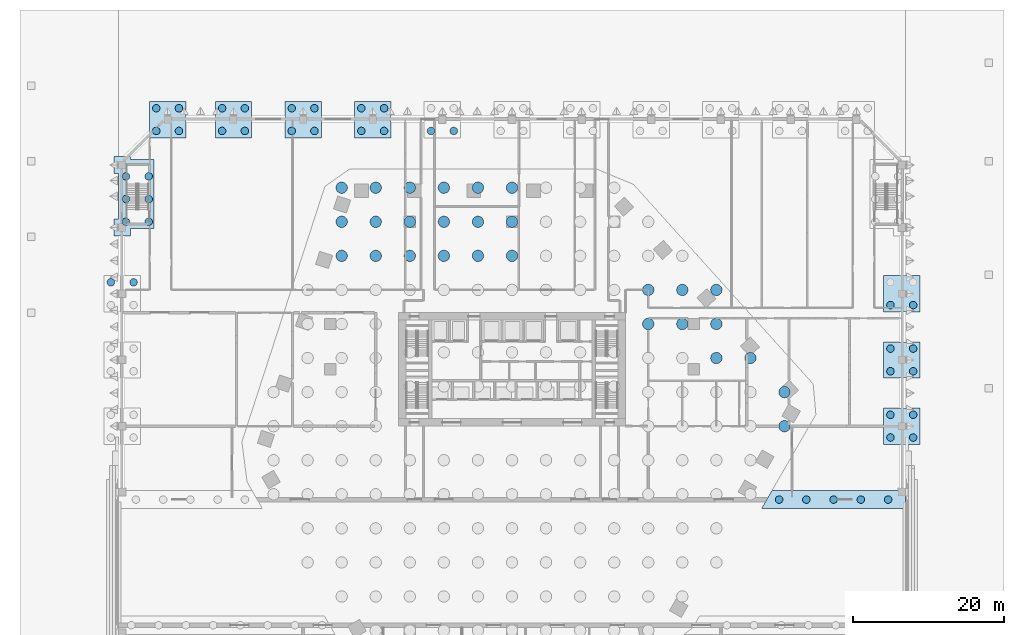
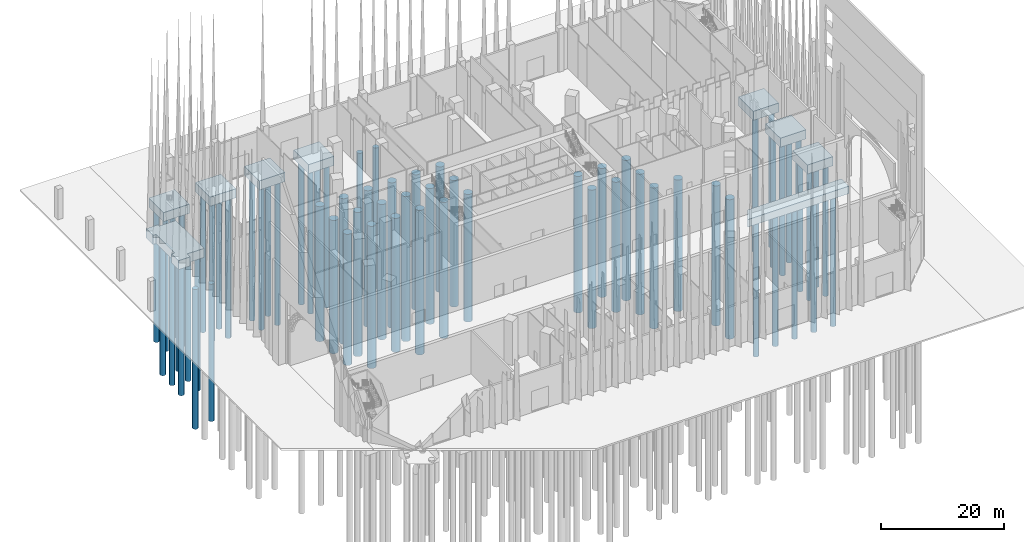
# One storey, part 4 of 32: 69 piles, 9 footings.
"""IFC4 building model written with IfcOpenShell, lengths in metres."""

from ifc_helpers import new_model, si_unit, direction, frame, origin, origin_2d, place, context, subcontext, project, spatial, polyline, circle, outline, extrude, material, layer, layer_set, material_profile, profile_set, type_object, element, save


model = new_model("IFC4")

# Units and contexts
model_context = context("Model", 3, precision=1e-05, world=origin(), true_north=direction((0.0, 1.0)))
body_context = subcontext(model_context, "Body", "Model", "MODEL_VIEW")
ifc_project = project(units=[si_unit("LENGTHUNIT", "METRE"), si_unit("AREAUNIT", "SQUARE_METRE"), si_unit("VOLUMEUNIT", "CUBIC_METRE"), si_unit("PLANEANGLEUNIT", "RADIAN"), si_unit("MASSUNIT", "GRAM", prefix="KILO")], contexts=[model_context])

# Site, building, storey
site_placement = place(None, origin())
site = spatial("IfcSite", under=ifc_project, at=site_placement, CompositionType="ELEMENT")
building_placement = place(site_placement, origin())
building = spatial("IfcBuilding", under=site, at=building_placement, Name="Isthmus Gate Tower", CompositionType="ELEMENT")
storey_placement = place(building_placement, origin())
storey = spatial("IfcBuildingStorey", under=building, at=storey_placement, Name="L00", CompositionType="ELEMENT", Elevation=0.0)

# Piles
ifc_material_1 = material(Name="Concrete f'c 50 MPa", Category="concrete")
ifc_material_profile_1 = material_profile(ifc_material_1, circle(Radius=0.5, at=origin_2d()), Name="D1000")
ifc_profile_set_1 = profile_set([ifc_material_profile_1], Name="Concrete f'c 50 MPa")
pile_type_1 = type_object("IfcPileType", Name="BORED PILE D1000", PredefinedType="BORED", material=ifc_profile_set_1)
pile_1_placement = place(storey_placement, frame((35.283935546875, -9.699951171875, -1.5), z_axis=(0.0, 0.0, -1.0), x_axis=(1.0, 0.0, 0.0)))
element("IfcPile", 1, at=pile_1_placement, inside=storey, type_object=pile_type_1, Name="str-pile-L00-191", PredefinedType="BORED", context=body_context, shape_type="SweptSolid", body=[
    extrude(circle(Radius=0.5, at=origin_2d()), origin(), (0.0, 0.0, 1.0), 27.174560546875),
])
pile_2_placement = place(storey_placement, frame((38.884033203125, -9.699951171875, -1.5), z_axis=(0.0, 0.0, -1.0), x_axis=(1.0, 0.0, 0.0)))
element("IfcPile", 2, at=pile_2_placement, inside=storey, type_object=pile_type_1, Name="str-pile-L00-192", PredefinedType="BORED", context=body_context, shape_type="SweptSolid", body=[
    extrude(circle(Radius=0.5, at=origin_2d()), origin(), (0.0, 0.0, 1.0), 26.360107421875),
])
pile_3_placement = place(storey_placement, frame((42.48388671875, -9.699951171875, -1.5), z_axis=(0.0, 0.0, -1.0), x_axis=(1.0, 0.0, 0.0)))
element("IfcPile", 3, at=pile_3_placement, inside=storey, type_object=pile_type_1, Name="str-pile-L00-193", PredefinedType="BORED", context=body_context, shape_type="SweptSolid", body=[
    extrude(circle(Radius=0.5, at=origin_2d()), origin(), (0.0, 0.0, 1.0), 26.1640625),
])
pile_4_placement = place(storey_placement, frame((46.083984375, -9.699951171875, -1.5), z_axis=(0.0, 0.0, -1.0), x_axis=(1.0, 0.0, 0.0)))
element("IfcPile", 4, at=pile_4_placement, inside=storey, type_object=pile_type_1, Name="str-pile-L00-194", PredefinedType="BORED", context=body_context, shape_type="SweptSolid", body=[
    extrude(circle(Radius=0.5, at=origin_2d()), origin(), (0.0, 0.0, 1.0), 26.107421875),
])
pile_5_placement = place(storey_placement, frame((49.683837890625, -9.699951171875, -1.5), z_axis=(0.0, 0.0, -1.0), x_axis=(1.0, 0.0, 0.0)))
element("IfcPile", 5, at=pile_5_placement, inside=storey, type_object=pile_type_1, Name="str-pile-L00-195", PredefinedType="BORED", context=body_context, shape_type="SweptSolid", body=[
    extrude(circle(Radius=0.5, at=origin_2d()), origin(), (0.0, 0.0, 1.0), 26.1953125),
])
pile_6_placement = place(storey_placement, frame((50.0, -1.5, -1.800048828125), z_axis=(0.0, 0.0, -1.0), x_axis=(1.0, 0.0, 0.0)))
element("IfcPile", 6, at=pile_6_placement, inside=storey, type_object=pile_type_1, Name="str-pile-L00-240", PredefinedType="BORED", context=body_context, shape_type="SweptSolid", body=[
    extrude(circle(Radius=0.5, at=origin_2d()), origin(), (0.0, 0.0, 1.0), 25.837646484375),
])
pile_7_placement = place(storey_placement, frame((50.0, 1.5, -1.800048828125), z_axis=(0.0, 0.0, -1.0), x_axis=(1.0, 0.0, 0.0)))
element("IfcPile", 7, at=pile_7_placement, inside=storey, type_object=pile_type_1, Name="str-pile-L00-241", PredefinedType="BORED", context=body_context, shape_type="SweptSolid", body=[
    extrude(circle(Radius=0.5, at=origin_2d()), origin(), (0.0, 0.0, 1.0), 25.923583984375),
])
pile_8_placement = place(storey_placement, frame((53.0, -1.5, -1.800048828125), z_axis=(0.0, 0.0, -1.0), x_axis=(1.0, 0.0, 0.0)))
element("IfcPile", 8, at=pile_8_placement, inside=storey, type_object=pile_type_1, Name="str-pile-L00-242", PredefinedType="BORED", context=body_context, shape_type="SweptSolid", body=[
    extrude(circle(Radius=0.5, at=origin_2d()), origin(), (0.0, 0.0, 1.0), 26.035400390625),
])
pile_9_placement = place(storey_placement, frame((53.0, 1.5, -1.800048828125), z_axis=(0.0, 0.0, -1.0), x_axis=(1.0, 0.0, 0.0)))
element("IfcPile", 9, at=pile_9_placement, inside=storey, type_object=pile_type_1, Name="str-pile-L00-243", PredefinedType="BORED", context=body_context, shape_type="SweptSolid", body=[
    extrude(circle(Radius=0.5, at=origin_2d()), origin(), (0.0, 0.0, 1.0), 26.10888671875),
])
pile_10_placement = place(storey_placement, frame((50.0, 7.25, -1.800048828125), z_axis=(0.0, 0.0, -1.0), x_axis=(1.0, 0.0, 0.0)))
element("IfcPile", 10, at=pile_10_placement, inside=storey, type_object=pile_type_1, Name="str-pile-L00-244", PredefinedType="BORED", context=body_context, shape_type="SweptSolid", body=[
    extrude(circle(Radius=0.5, at=origin_2d()), origin(), (0.0, 0.0, 1.0), 26.239990234375),
])
pile_11_placement = place(storey_placement, frame((50.0, 10.25, -1.800048828125), z_axis=(0.0, 0.0, -1.0), x_axis=(1.0, 0.0, 0.0)))
element("IfcPile", 11, at=pile_11_placement, inside=storey, type_object=pile_type_1, Name="str-pile-L00-245", PredefinedType="BORED", context=body_context, shape_type="SweptSolid", body=[
    extrude(circle(Radius=0.5, at=origin_2d()), origin(), (0.0, 0.0, 1.0), 26.47021484375),
])
pile_12_placement = place(storey_placement, frame((53.0, 7.25, -1.800048828125), z_axis=(0.0, 0.0, -1.0), x_axis=(1.0, 0.0, 0.0)))
element("IfcPile", 12, at=pile_12_placement, inside=storey, type_object=pile_type_1, Name="str-pile-L00-246", PredefinedType="BORED", context=body_context, shape_type="SweptSolid", body=[
    extrude(circle(Radius=0.5, at=origin_2d()), origin(), (0.0, 0.0, 1.0), 26.37939453125),
])
pile_13_placement = place(storey_placement, frame((53.0, 10.25, -1.800048828125), z_axis=(0.0, 0.0, -1.0), x_axis=(1.0, 0.0, 0.0)))
element("IfcPile", 13, at=pile_13_placement, inside=storey, type_object=pile_type_1, Name="str-pile-L00-247", PredefinedType="BORED", context=body_context, shape_type="SweptSolid", body=[
    extrude(circle(Radius=0.5, at=origin_2d()), origin(), (0.0, 0.0, 1.0), 26.576171875),
])
pile_14_placement = place(storey_placement, frame((50.0, 16.0, -1.800048828125), z_axis=(0.0, 0.0, -1.0), x_axis=(1.0, 0.0, 0.0)))
element("IfcPile", 14, at=pile_14_placement, inside=storey, type_object=pile_type_1, Name="str-pile-L00-248", PredefinedType="BORED", context=body_context, shape_type="SweptSolid", body=[
    extrude(circle(Radius=0.5, at=origin_2d()), origin(), (0.0, 0.0, 1.0), 26.991455078125),
])
pile_15_placement = place(storey_placement, frame((53.0, 16.0, -1.800048828125), z_axis=(0.0, 0.0, -1.0), x_axis=(1.0, 0.0, 0.0)))
element("IfcPile", 15, at=pile_15_placement, inside=storey, type_object=pile_type_1, Name="str-pile-L00-250", PredefinedType="BORED", context=body_context, shape_type="SweptSolid", body=[
    extrude(circle(Radius=0.5, at=origin_2d()), origin(), (0.0, 0.0, 1.0), 27.021728515625),
])
pile_16_placement = place(storey_placement, frame((-10.699951171875, 39.0, -1.800048828125), z_axis=(0.0, 0.0, -1.0), x_axis=(1.0, 0.0, 0.0)))
element("IfcPile", 16, at=pile_16_placement, inside=storey, type_object=pile_type_1, Name="str-pile-L00-276", PredefinedType="BORED", context=body_context, shape_type="SweptSolid", body=[
    extrude(circle(Radius=0.5, at=origin_2d()), origin(), (0.0, 0.0, 1.0), 28.229248046875),
])
pile_17_placement = place(storey_placement, frame((-7.699951171875, 39.0, -1.800048828125), z_axis=(0.0, 0.0, -1.0), x_axis=(1.0, 0.0, 0.0)))
element("IfcPile", 17, at=pile_17_placement, inside=storey, type_object=pile_type_1, Name="str-pile-L00-278", PredefinedType="BORED", context=body_context, shape_type="SweptSolid", body=[
    extrude(circle(Radius=0.5, at=origin_2d()), origin(), (0.0, 0.0, 1.0), 27.83837890625),
])
pile_18_placement = place(storey_placement, frame((-19.89990234375, 39.0, -1.800048828125), z_axis=(0.0, 0.0, -1.0), x_axis=(1.0, 0.0, 0.0)))
element("IfcPile", 18, at=pile_18_placement, inside=storey, type_object=pile_type_1, Name="str-pile-L00-280", PredefinedType="BORED", context=body_context, shape_type="SweptSolid", body=[
    extrude(circle(Radius=0.5, at=origin_2d()), origin(), (0.0, 0.0, 1.0), 28.58447265625),
])
pile_19_placement = place(storey_placement, frame((-19.89990234375, 42.0, -1.800048828125), z_axis=(0.0, 0.0, -1.0), x_axis=(1.0, 0.0, 0.0)))
element("IfcPile", 19, at=pile_19_placement, inside=storey, type_object=pile_type_1, Name="str-pile-L00-281", PredefinedType="BORED", context=body_context, shape_type="SweptSolid", body=[
    extrude(circle(Radius=0.5, at=origin_2d()), origin(), (0.0, 0.0, 1.0), 28.58642578125),
])
pile_20_placement = place(storey_placement, frame((-16.89990234375, 39.0, -1.800048828125), z_axis=(0.0, 0.0, -1.0), x_axis=(1.0, 0.0, 0.0)))
element("IfcPile", 20, at=pile_20_placement, inside=storey, type_object=pile_type_1, Name="str-pile-L00-282", PredefinedType="BORED", context=body_context, shape_type="SweptSolid", body=[
    extrude(circle(Radius=0.5, at=origin_2d()), origin(), (0.0, 0.0, 1.0), 28.386962890625),
])
pile_21_placement = place(storey_placement, frame((-16.89990234375, 42.0, -1.800048828125), z_axis=(0.0, 0.0, -1.0), x_axis=(1.0, 0.0, 0.0)))
element("IfcPile", 21, at=pile_21_placement, inside=storey, type_object=pile_type_1, Name="str-pile-L00-283", PredefinedType="BORED", context=body_context, shape_type="SweptSolid", body=[
    extrude(circle(Radius=0.5, at=origin_2d()), origin(), (0.0, 0.0, 1.0), 28.388427734375),
])
pile_22_placement = place(storey_placement, frame((-29.10009765625, 39.0, -1.800048828125), z_axis=(0.0, 0.0, -1.0), x_axis=(1.0, 0.0, 0.0)))
element("IfcPile", 22, at=pile_22_placement, inside=storey, type_object=pile_type_1, Name="str-pile-L00-284", PredefinedType="BORED", context=body_context, shape_type="SweptSolid", body=[
    extrude(circle(Radius=0.5, at=origin_2d()), origin(), (0.0, 0.0, 1.0), 28.54345703125),
])
pile_23_placement = place(storey_placement, frame((-29.10009765625, 42.0, -1.800048828125), z_axis=(0.0, 0.0, -1.0), x_axis=(1.0, 0.0, 0.0)))
element("IfcPile", 23, at=pile_23_placement, inside=storey, type_object=pile_type_1, Name="str-pile-L00-285", PredefinedType="BORED", context=body_context, shape_type="SweptSolid", body=[
    extrude(circle(Radius=0.5, at=origin_2d()), origin(), (0.0, 0.0, 1.0), 28.54541015625),
])
pile_24_placement = place(storey_placement, frame((-26.10009765625, 39.0, -1.800048828125), z_axis=(0.0, 0.0, -1.0), x_axis=(1.0, 0.0, 0.0)))
element("IfcPile", 24, at=pile_24_placement, inside=storey, type_object=pile_type_1, Name="str-pile-L00-286", PredefinedType="BORED", context=body_context, shape_type="SweptSolid", body=[
    extrude(circle(Radius=0.5, at=origin_2d()), origin(), (0.0, 0.0, 1.0), 28.6669921875),
])
pile_25_placement = place(storey_placement, frame((-26.10009765625, 42.0, -1.800048828125), z_axis=(0.0, 0.0, -1.0), x_axis=(1.0, 0.0, 0.0)))
element("IfcPile", 25, at=pile_25_placement, inside=storey, type_object=pile_type_1, Name="str-pile-L00-287", PredefinedType="BORED", context=body_context, shape_type="SweptSolid", body=[
    extrude(circle(Radius=0.5, at=origin_2d()), origin(), (0.0, 0.0, 1.0), 28.669189453125),
])
pile_26_placement = place(storey_placement, frame((-38.300048828125, 39.0, -1.800048828125), z_axis=(0.0, 0.0, -1.0), x_axis=(1.0, 0.0, 0.0)))
element("IfcPile", 26, at=pile_26_placement, inside=storey, type_object=pile_type_1, Name="str-pile-L00-288", PredefinedType="BORED", context=body_context, shape_type="SweptSolid", body=[
    extrude(circle(Radius=0.5, at=origin_2d()), origin(), (0.0, 0.0, 1.0), 27.6328125),
])
pile_27_placement = place(storey_placement, frame((-38.300048828125, 42.0, -1.800048828125), z_axis=(0.0, 0.0, -1.0), x_axis=(1.0, 0.0, 0.0)))
element("IfcPile", 27, at=pile_27_placement, inside=storey, type_object=pile_type_1, Name="str-pile-L00-289", PredefinedType="BORED", context=body_context, shape_type="SweptSolid", body=[
    extrude(circle(Radius=0.5, at=origin_2d()), origin(), (0.0, 0.0, 1.0), 27.63330078125),
])
pile_28_placement = place(storey_placement, frame((-35.300048828125, 39.0, -1.800048828125), z_axis=(0.0, 0.0, -1.0), x_axis=(1.0, 0.0, 0.0)))
element("IfcPile", 28, at=pile_28_placement, inside=storey, type_object=pile_type_1, Name="str-pile-L00-290", PredefinedType="BORED", context=body_context, shape_type="SweptSolid", body=[
    extrude(circle(Radius=0.5, at=origin_2d()), origin(), (0.0, 0.0, 1.0), 27.99755859375),
])
pile_29_placement = place(storey_placement, frame((-35.300048828125, 42.0, -1.800048828125), z_axis=(0.0, 0.0, -1.0), x_axis=(1.0, 0.0, 0.0)))
element("IfcPile", 29, at=pile_29_placement, inside=storey, type_object=pile_type_1, Name="str-pile-L00-291", PredefinedType="BORED", context=body_context, shape_type="SweptSolid", body=[
    extrude(circle(Radius=0.5, at=origin_2d()), origin(), (0.0, 0.0, 1.0), 27.998779296875),
])
pile_30_placement = place(storey_placement, frame((-47.0, 39.0, -1.800048828125), z_axis=(0.0, 0.0, -1.0), x_axis=(1.0, 0.0, 0.0)))
element("IfcPile", 30, at=pile_30_placement, inside=storey, type_object=pile_type_1, Name="str-pile-L00-292", PredefinedType="BORED", context=body_context, shape_type="SweptSolid", body=[
    extrude(circle(Radius=0.5, at=origin_2d()), origin(), (0.0, 0.0, 1.0), 26.50048828125),
])
pile_31_placement = place(storey_placement, frame((-47.0, 42.0, -1.800048828125), z_axis=(0.0, 0.0, -1.0), x_axis=(1.0, 0.0, 0.0)))
element("IfcPile", 31, at=pile_31_placement, inside=storey, type_object=pile_type_1, Name="str-pile-L00-293", PredefinedType="BORED", context=body_context, shape_type="SweptSolid", body=[
    extrude(circle(Radius=0.5, at=origin_2d()), origin(), (0.0, 0.0, 1.0), 26.49951171875),
])
pile_32_placement = place(storey_placement, frame((-44.0, 39.0, -1.800048828125), z_axis=(0.0, 0.0, -1.0), x_axis=(1.0, 0.0, 0.0)))
element("IfcPile", 32, at=pile_32_placement, inside=storey, type_object=pile_type_1, Name="str-pile-L00-294", PredefinedType="BORED", context=body_context, shape_type="SweptSolid", body=[
    extrude(circle(Radius=0.5, at=origin_2d()), origin(), (0.0, 0.0, 1.0), 26.876953125),
])
pile_33_placement = place(storey_placement, frame((-44.0, 42.0, -1.800048828125), z_axis=(0.0, 0.0, -1.0), x_axis=(1.0, 0.0, 0.0)))
element("IfcPile", 33, at=pile_33_placement, inside=storey, type_object=pile_type_1, Name="str-pile-L00-295", PredefinedType="BORED", context=body_context, shape_type="SweptSolid", body=[
    extrude(circle(Radius=0.5, at=origin_2d()), origin(), (0.0, 0.0, 1.0), 26.87646484375),
])
pile_34_placement = place(storey_placement, frame((-53.0, 19.0, -1.800048828125), z_axis=(0.0, 0.0, -1.0), x_axis=(1.0, 0.0, 0.0)))
element("IfcPile", 34, at=pile_34_placement, inside=storey, type_object=pile_type_1, Name="str-pile-L00-297", PredefinedType="BORED", context=body_context, shape_type="SweptSolid", body=[
    extrude(circle(Radius=0.5, at=origin_2d()), origin(), (0.0, 0.0, 1.0), 27.6240234375),
])
pile_35_placement = place(storey_placement, frame((-50.0, 19.0, -1.800048828125), z_axis=(0.0, 0.0, -1.0), x_axis=(1.0, 0.0, 0.0)))
element("IfcPile", 35, at=pile_35_placement, inside=storey, type_object=pile_type_1, Name="str-pile-L00-299", PredefinedType="BORED", context=body_context, shape_type="SweptSolid", body=[
    extrude(circle(Radius=0.5, at=origin_2d()), origin(), (0.0, 0.0, 1.0), 27.138916015625),
])
pile_36_placement = place(storey_placement, frame((-51.0, 27.0, -1.800048828125), z_axis=(0.0, 0.0, -1.0), x_axis=(1.0, 0.0, 0.0)))
element("IfcPile", 36, at=pile_36_placement, inside=storey, type_object=pile_type_1, Name="str-pile-L00-322", PredefinedType="BORED", context=body_context, shape_type="SweptSolid", body=[
    extrude(circle(Radius=0.5, at=origin_2d()), origin(), (0.0, 0.0, 1.0), 26.546875),
])
pile_37_placement = place(storey_placement, frame((-51.0, 30.0, -1.800048828125), z_axis=(0.0, 0.0, -1.0), x_axis=(1.0, 0.0, 0.0)))
element("IfcPile", 37, at=pile_37_placement, inside=storey, type_object=pile_type_1, Name="str-pile-L00-323", PredefinedType="BORED", context=body_context, shape_type="SweptSolid", body=[
    extrude(circle(Radius=0.5, at=origin_2d()), origin(), (0.0, 0.0, 1.0), 26.3701171875),
])
pile_38_placement = place(storey_placement, frame((-51.0, 33.0, -1.800048828125), z_axis=(0.0, 0.0, -1.0), x_axis=(1.0, 0.0, 0.0)))
element("IfcPile", 38, at=pile_38_placement, inside=storey, type_object=pile_type_1, Name="str-pile-L00-324", PredefinedType="BORED", context=body_context, shape_type="SweptSolid", body=[
    extrude(circle(Radius=0.5, at=origin_2d()), origin(), (0.0, 0.0, 1.0), 26.22998046875),
])
pile_39_placement = place(storey_placement, frame((-48.0, 27.0, -1.800048828125), z_axis=(0.0, 0.0, -1.0), x_axis=(1.0, 0.0, 0.0)))
element("IfcPile", 39, at=pile_39_placement, inside=storey, type_object=pile_type_1, Name="str-pile-L00-325", PredefinedType="BORED", context=body_context, shape_type="SweptSolid", body=[
    extrude(circle(Radius=0.5, at=origin_2d()), origin(), (0.0, 0.0, 1.0), 26.72412109375),
])
pile_40_placement = place(storey_placement, frame((-48.0, 30.0, -1.800048828125), z_axis=(0.0, 0.0, -1.0), x_axis=(1.0, 0.0, 0.0)))
element("IfcPile", 40, at=pile_40_placement, inside=storey, type_object=pile_type_1, Name="str-pile-L00-326", PredefinedType="BORED", context=body_context, shape_type="SweptSolid", body=[
    extrude(circle(Radius=0.5, at=origin_2d()), origin(), (0.0, 0.0, 1.0), 26.59521484375),
])
pile_41_placement = place(storey_placement, frame((-48.0, 33.0, -1.800048828125), z_axis=(0.0, 0.0, -1.0), x_axis=(1.0, 0.0, 0.0)))
element("IfcPile", 41, at=pile_41_placement, inside=storey, type_object=pile_type_1, Name="str-pile-L00-327", PredefinedType="BORED", context=body_context, shape_type="SweptSolid", body=[
    extrude(circle(Radius=0.5, at=origin_2d()), origin(), (0.0, 0.0, 1.0), 26.4931640625),
])
ifc_material_2 = material(Name="Concrete f'c 50 MPa", Category="concrete")
ifc_material_profile_2 = material_profile(ifc_material_2, circle(Radius=0.75, at=origin_2d()), Name="D1500")
ifc_profile_set_2 = profile_set([ifc_material_profile_2], Name="Concrete f'c 50 MPa")
pile_type_2 = type_object("IfcPileType", Name="BORED PILE D1500", PredefinedType="BORED", material=ifc_profile_set_2)
pile_42_placement = place(storey_placement, frame((-22.5, 22.5, -3.5), z_axis=(0.0, 0.0, -1.0), x_axis=(1.0, 0.0, 0.0)))
element("IfcPile", 42, at=pile_42_placement, inside=storey, type_object=pile_type_2, Name="str-pile-L00-024", PredefinedType="BORED", context=body_context, shape_type="SweptSolid", body=[
    extrude(circle(Radius=0.75, at=origin_2d()), origin(), (0.0, 0.0, 1.0), 25.944580078125),
])
pile_43_placement = place(storey_placement, frame((-22.5, 27.0, -3.5), z_axis=(0.0, 0.0, -1.0), x_axis=(1.0, 0.0, 0.0)))
element("IfcPile", 43, at=pile_43_placement, inside=storey, type_object=pile_type_2, Name="str-pile-L00-025", PredefinedType="BORED", context=body_context, shape_type="SweptSolid", body=[
    extrude(circle(Radius=0.75, at=origin_2d()), origin(), (0.0, 0.0, 1.0), 26.361328125),
])
pile_44_placement = place(storey_placement, frame((-22.5, 31.5, -3.5), z_axis=(0.0, 0.0, -1.0), x_axis=(1.0, 0.0, 0.0)))
element("IfcPile", 44, at=pile_44_placement, inside=storey, type_object=pile_type_2, Name="str-pile-L00-026", PredefinedType="BORED", context=body_context, shape_type="SweptSolid", body=[
    extrude(circle(Radius=0.75, at=origin_2d()), origin(), (0.0, 0.0, 1.0), 26.693359375),
])
pile_45_placement = place(storey_placement, frame((-18.0, 22.5, -3.5), z_axis=(0.0, 0.0, -1.0), x_axis=(1.0, 0.0, 0.0)))
element("IfcPile", 45, at=pile_45_placement, inside=storey, type_object=pile_type_2, Name="str-pile-L00-039", PredefinedType="BORED", context=body_context, shape_type="SweptSolid", body=[
    extrude(circle(Radius=0.75, at=origin_2d()), origin(), (0.0, 0.0, 1.0), 28.1328125),
])
pile_46_placement = place(storey_placement, frame((-18.0, 27.0, -3.5), z_axis=(0.0, 0.0, -1.0), x_axis=(1.0, 0.0, 0.0)))
element("IfcPile", 46, at=pile_46_placement, inside=storey, type_object=pile_type_2, Name="str-pile-L00-040", PredefinedType="BORED", context=body_context, shape_type="SweptSolid", body=[
    extrude(circle(Radius=0.75, at=origin_2d()), origin(), (0.0, 0.0, 1.0), 28.491943359375),
])
pile_47_placement = place(storey_placement, frame((-18.0, 31.5, -3.5), z_axis=(0.0, 0.0, -1.0), x_axis=(1.0, 0.0, 0.0)))
element("IfcPile", 47, at=pile_47_placement, inside=storey, type_object=pile_type_2, Name="str-pile-L00-041", PredefinedType="BORED", context=body_context, shape_type="SweptSolid", body=[
    extrude(circle(Radius=0.75, at=origin_2d()), origin(), (0.0, 0.0, 1.0), 28.77783203125),
])
pile_48_placement = place(storey_placement, frame((-13.5, 22.5, -3.5), z_axis=(0.0, 0.0, -1.0), x_axis=(1.0, 0.0, 0.0)))
element("IfcPile", 48, at=pile_48_placement, inside=storey, type_object=pile_type_2, Name="str-pile-L00-050", PredefinedType="BORED", context=body_context, shape_type="SweptSolid", body=[
    extrude(circle(Radius=0.75, at=origin_2d()), origin(), (0.0, 0.0, 1.0), 26.50927734375),
])
pile_49_placement = place(storey_placement, frame((-13.5, 27.0, -3.5), z_axis=(0.0, 0.0, -1.0), x_axis=(1.0, 0.0, 0.0)))
element("IfcPile", 49, at=pile_49_placement, inside=storey, type_object=pile_type_2, Name="str-pile-L00-051", PredefinedType="BORED", context=body_context, shape_type="SweptSolid", body=[
    extrude(circle(Radius=0.75, at=origin_2d()), origin(), (0.0, 0.0, 1.0), 26.752197265625),
])
pile_50_placement = place(storey_placement, frame((-13.5, 31.5, -3.5), z_axis=(0.0, 0.0, -1.0), x_axis=(1.0, 0.0, 0.0)))
element("IfcPile", 50, at=pile_50_placement, inside=storey, type_object=pile_type_2, Name="str-pile-L00-052", PredefinedType="BORED", context=body_context, shape_type="SweptSolid", body=[
    extrude(circle(Radius=0.75, at=origin_2d()), origin(), (0.0, 0.0, 1.0), 26.94580078125),
])
pile_51_placement = place(storey_placement, frame((-9.0, 22.5, -3.5), z_axis=(0.0, 0.0, -1.0), x_axis=(1.0, 0.0, 0.0)))
element("IfcPile", 51, at=pile_51_placement, inside=storey, type_object=pile_type_2, Name="str-pile-L00-061", PredefinedType="BORED", context=body_context, shape_type="SweptSolid", body=[
    extrude(circle(Radius=0.75, at=origin_2d()), origin(), (0.0, 0.0, 1.0), 28.59375),
])
pile_52_placement = place(storey_placement, frame((-9.0, 27.0, -3.5), z_axis=(0.0, 0.0, -1.0), x_axis=(1.0, 0.0, 0.0)))
element("IfcPile", 52, at=pile_52_placement, inside=storey, type_object=pile_type_2, Name="str-pile-L00-062", PredefinedType="BORED", context=body_context, shape_type="SweptSolid", body=[
    extrude(circle(Radius=0.75, at=origin_2d()), origin(), (0.0, 0.0, 1.0), 28.681396484375),
])
pile_53_placement = place(storey_placement, frame((-9.0, 31.5, -3.5), z_axis=(0.0, 0.0, -1.0), x_axis=(1.0, 0.0, 0.0)))
element("IfcPile", 53, at=pile_53_placement, inside=storey, type_object=pile_type_2, Name="str-pile-L00-063", PredefinedType="BORED", context=body_context, shape_type="SweptSolid", body=[
    extrude(circle(Radius=0.75, at=origin_2d()), origin(), (0.0, 0.0, 1.0), 28.75146484375),
])
pile_54_placement = place(storey_placement, frame((-4.5, 22.5, -3.5), z_axis=(0.0, 0.0, -1.0), x_axis=(1.0, 0.0, 0.0)))
element("IfcPile", 54, at=pile_54_placement, inside=storey, type_object=pile_type_2, Name="str-pile-L00-072", PredefinedType="BORED", context=body_context, shape_type="SweptSolid", body=[
    extrude(circle(Radius=0.75, at=origin_2d()), origin(), (0.0, 0.0, 1.0), 26.912841796875),
])
pile_55_placement = place(storey_placement, frame((-4.5, 27.0, -3.5), z_axis=(0.0, 0.0, -1.0), x_axis=(1.0, 0.0, 0.0)))
element("IfcPile", 55, at=pile_55_placement, inside=storey, type_object=pile_type_2, Name="str-pile-L00-073", PredefinedType="BORED", context=body_context, shape_type="SweptSolid", body=[
    extrude(circle(Radius=0.75, at=origin_2d()), origin(), (0.0, 0.0, 1.0), 26.831298828125),
])
pile_56_placement = place(storey_placement, frame((-4.5, 31.5, -3.5), z_axis=(0.0, 0.0, -1.0), x_axis=(1.0, 0.0, 0.0)))
element("IfcPile", 56, at=pile_56_placement, inside=storey, type_object=pile_type_2, Name="str-pile-L00-074", PredefinedType="BORED", context=body_context, shape_type="SweptSolid", body=[
    extrude(circle(Radius=0.75, at=origin_2d()), origin(), (0.0, 0.0, 1.0), 26.766357421875),
])
pile_57_placement = place(storey_placement, frame((0.0, 22.5, -3.5), z_axis=(0.0, 0.0, -1.0), x_axis=(1.0, 0.0, 0.0)))
element("IfcPile", 57, at=pile_57_placement, inside=storey, type_object=pile_type_2, Name="str-pile-L00-083", PredefinedType="BORED", context=body_context, shape_type="SweptSolid", body=[
    extrude(circle(Radius=0.75, at=origin_2d()), origin(), (0.0, 0.0, 1.0), 25.246337890625),
])
pile_58_placement = place(storey_placement, frame((0.0, 27.0, -3.5), z_axis=(0.0, 0.0, -1.0), x_axis=(1.0, 0.0, 0.0)))
element("IfcPile", 58, at=pile_58_placement, inside=storey, type_object=pile_type_2, Name="str-pile-L00-084", PredefinedType="BORED", context=body_context, shape_type="SweptSolid", body=[
    extrude(circle(Radius=0.75, at=origin_2d()), origin(), (0.0, 0.0, 1.0), 25.008544921875),
])
pile_59_placement = place(storey_placement, frame((0.0, 31.5, -3.5), z_axis=(0.0, 0.0, -1.0), x_axis=(1.0, 0.0, 0.0)))
element("IfcPile", 59, at=pile_59_placement, inside=storey, type_object=pile_type_2, Name="str-pile-L00-085", PredefinedType="BORED", context=body_context, shape_type="SweptSolid", body=[
    extrude(circle(Radius=0.75, at=origin_2d()), origin(), (0.0, 0.0, 1.0), 24.81884765625),
])
pile_60_placement = place(storey_placement, frame((18.0, 13.5, -3.5), z_axis=(0.0, 0.0, -1.0), x_axis=(1.0, 0.0, 0.0)))
element("IfcPile", 60, at=pile_60_placement, inside=storey, type_object=pile_type_2, Name="str-pile-L00-126", PredefinedType="BORED", context=body_context, shape_type="SweptSolid", body=[
    extrude(circle(Radius=0.75, at=origin_2d()), origin(), (0.0, 0.0, 1.0), 27.38232421875),
])
pile_61_placement = place(storey_placement, frame((18.0, 18.0, -3.5), z_axis=(0.0, 0.0, -1.0), x_axis=(1.0, 0.0, 0.0)))
element("IfcPile", 61, at=pile_61_placement, inside=storey, type_object=pile_type_2, Name="str-pile-L00-127", PredefinedType="BORED", context=body_context, shape_type="SweptSolid", body=[
    extrude(circle(Radius=0.75, at=origin_2d()), origin(), (0.0, 0.0, 1.0), 27.012939453125),
])
pile_62_placement = place(storey_placement, frame((22.5, 13.5, -3.5), z_axis=(0.0, 0.0, -1.0), x_axis=(1.0, 0.0, 0.0)))
element("IfcPile", 62, at=pile_62_placement, inside=storey, type_object=pile_type_2, Name="str-pile-L00-138", PredefinedType="BORED", context=body_context, shape_type="SweptSolid", body=[
    extrude(circle(Radius=0.75, at=origin_2d()), origin(), (0.0, 0.0, 1.0), 25.737060546875),
])
pile_63_placement = place(storey_placement, frame((22.5, 18.0, -3.5), z_axis=(0.0, 0.0, -1.0), x_axis=(1.0, 0.0, 0.0)))
element("IfcPile", 63, at=pile_63_placement, inside=storey, type_object=pile_type_2, Name="str-pile-L00-139", PredefinedType="BORED", context=body_context, shape_type="SweptSolid", body=[
    extrude(circle(Radius=0.75, at=origin_2d()), origin(), (0.0, 0.0, 1.0), 25.508056640625),
])
pile_64_placement = place(storey_placement, frame((27.0, 9.0, -3.5), z_axis=(0.0, 0.0, -1.0), x_axis=(1.0, 0.0, 0.0)))
element("IfcPile", 64, at=pile_64_placement, inside=storey, type_object=pile_type_2, Name="str-pile-L00-147", PredefinedType="BORED", context=body_context, shape_type="SweptSolid", body=[
    extrude(circle(Radius=0.75, at=origin_2d()), origin(), (0.0, 0.0, 1.0), 27.849853515625),
])
pile_65_placement = place(storey_placement, frame((27.0, 13.5, -3.5), z_axis=(0.0, 0.0, -1.0), x_axis=(1.0, 0.0, 0.0)))
element("IfcPile", 65, at=pile_65_placement, inside=storey, type_object=pile_type_2, Name="str-pile-L00-148", PredefinedType="BORED", context=body_context, shape_type="SweptSolid", body=[
    extrude(circle(Radius=0.75, at=origin_2d()), origin(), (0.0, 0.0, 1.0), 27.803466796875),
])
pile_66_placement = place(storey_placement, frame((27.0, 18.0, -3.5), z_axis=(0.0, 0.0, -1.0), x_axis=(1.0, 0.0, 0.0)))
element("IfcPile", 66, at=pile_66_placement, inside=storey, type_object=pile_type_2, Name="str-pile-L00-149", PredefinedType="BORED", context=body_context, shape_type="SweptSolid", body=[
    extrude(circle(Radius=0.75, at=origin_2d()), origin(), (0.0, 0.0, 1.0), 27.751708984375),
])
pile_67_placement = place(storey_placement, frame((31.5, 9.0, -3.5), z_axis=(0.0, 0.0, -1.0), x_axis=(1.0, 0.0, 0.0)))
element("IfcPile", 67, at=pile_67_placement, inside=storey, type_object=pile_type_2, Name="str-pile-L00-154", PredefinedType="BORED", context=body_context, shape_type="SweptSolid", body=[
    extrude(circle(Radius=0.75, at=origin_2d()), origin(), (0.0, 0.0, 1.0), 25.99072265625),
])
pile_68_placement = place(storey_placement, frame((36.0, 0.0, -3.5), z_axis=(0.0, 0.0, -1.0), x_axis=(1.0, 0.0, 0.0)))
element("IfcPile", 68, at=pile_68_placement, inside=storey, type_object=pile_type_2, Name="str-pile-L00-155", PredefinedType="BORED", context=body_context, shape_type="SweptSolid", body=[
    extrude(circle(Radius=0.75, at=origin_2d()), origin(), (0.0, 0.0, 1.0), 27.57861328125),
])
pile_69_placement = place(storey_placement, frame((36.0, 4.5, -3.5), z_axis=(0.0, 0.0, -1.0), x_axis=(1.0, 0.0, 0.0)))
element("IfcPile", 69, at=pile_69_placement, inside=storey, type_object=pile_type_2, Name="str-pile-L00-156", PredefinedType="BORED", context=body_context, shape_type="SweptSolid", body=[
    extrude(circle(Radius=0.75, at=origin_2d()), origin(), (0.0, 0.0, 1.0), 27.712158203125),
])

# Footings
ifc_material_3 = material(Name="Concrete f'c 50 MPa", Category="concrete")
footing_type_1 = type_object("IfcFootingType", Name="PILE CAP 4800 X 4800 X 1800", PredefinedType="PILE_CAP", material=ifc_material_3)
footing_1_placement = place(storey_placement, frame((0.0, 0.0, -2.10009765625)))
element("IfcFooting", 70, at=footing_1_placement, inside=storey, type_object=footing_type_1, Name="str-cap-L00-PC13", PredefinedType="PILE_CAP", context=body_context, shape_type="SweptSolid", body=[
    extrude(outline(polyline([(53.89990234375, -2.39990234375), (53.89990234375, 2.39990234375), (49.10009765625, 2.39990234375), (49.10009765625, -2.39990234375), (53.89990234375, -2.39990234375)])), origin(), (0.0, 0.0, 1.0), 1.800048828125),
])
footing_2_placement = place(storey_placement, frame((0.0, 0.0, -2.10009765625)))
element("IfcFooting", 71, at=footing_2_placement, inside=storey, type_object=footing_type_1, Name="str-cap-L00-PC14", PredefinedType="PILE_CAP", context=body_context, shape_type="SweptSolid", body=[
    extrude(outline(polyline([(53.89990234375, 6.35009765625), (53.89990234375, 11.14990234375), (49.10009765625, 11.14990234375), (49.10009765625, 6.35009765625), (53.89990234375, 6.35009765625)])), origin(), (0.0, 0.0, 1.0), 1.800048828125),
])
footing_3_placement = place(storey_placement, frame((0.0, 0.0, -2.10009765625)))
element("IfcFooting", 72, at=footing_3_placement, inside=storey, type_object=footing_type_1, Name="str-cap-L00-PC15", PredefinedType="PILE_CAP", context=body_context, shape_type="SweptSolid", body=[
    extrude(outline(polyline([(53.89990234375, 15.10009765625), (53.89990234375, 19.89990234375), (49.10009765625, 19.89990234375), (49.10009765625, 15.10009765625), (53.89990234375, 15.10009765625)])), origin(), (0.0, 0.0, 1.0), 1.800048828125),
])
footing_4_placement = place(storey_placement, frame((0.0, 0.0, -2.10009765625)))
element("IfcFooting", 73, at=footing_4_placement, inside=storey, type_object=footing_type_1, Name="str-cap-L00-PC25", PredefinedType="PILE_CAP", context=body_context, shape_type="SweptSolid", body=[
    extrude(outline(polyline([(-16.0, 38.10009765625), (-16.0, 42.89990234375), (-20.800048828125, 42.89990234375), (-20.800048828125, 38.10009765625), (-16.0, 38.10009765625)])), origin(), (0.0, 0.0, 1.0), 1.800048828125),
])
footing_5_placement = place(storey_placement, frame((0.0, 0.0, -2.10009765625)))
element("IfcFooting", 74, at=footing_5_placement, inside=storey, type_object=footing_type_1, Name="str-cap-L00-PC26", PredefinedType="PILE_CAP", context=body_context, shape_type="SweptSolid", body=[
    extrude(outline(polyline([(-25.199951171875, 38.10009765625), (-25.199951171875, 42.89990234375), (-30.0, 42.89990234375), (-30.0, 38.10009765625), (-25.199951171875, 38.10009765625)])), origin(), (0.0, 0.0, 1.0), 1.800048828125),
])
footing_6_placement = place(storey_placement, frame((0.0, 0.0, -2.10009765625)))
element("IfcFooting", 75, at=footing_6_placement, inside=storey, type_object=footing_type_1, Name="str-cap-L00-PC27", PredefinedType="PILE_CAP", context=body_context, shape_type="SweptSolid", body=[
    extrude(outline(polyline([(-34.39990234375, 38.10009765625), (-34.39990234375, 42.89990234375), (-39.199951171875, 42.89990234375), (-39.199951171875, 38.10009765625), (-34.39990234375, 38.10009765625)])), origin(), (0.0, 0.0, 1.0), 1.800048828125),
])
footing_7_placement = place(storey_placement, frame((0.0, 0.0, -2.10009765625)))
element("IfcFooting", 76, at=footing_7_placement, inside=storey, type_object=footing_type_1, Name="str-cap-L00-PC28", PredefinedType="PILE_CAP", context=body_context, shape_type="SweptSolid", body=[
    extrude(outline(polyline([(-43.10009765625, 38.10009765625), (-43.10009765625, 42.89990234375), (-47.89990234375, 42.89990234375), (-47.89990234375, 38.10009765625), (-43.10009765625, 38.10009765625)])), origin(), (0.0, 0.0, 1.0), 1.800048828125),
])
ifc_material_4 = material(Name="Concrete f'c 50 MPa", Category="concrete")
ifc_layer_1 = layer(ifc_material_4, 1.800048828125)
ifc_layer_set_1 = layer_set([ifc_layer_1], Name="SHAFT PILE CAP 1800")
footing_type_2 = type_object("IfcFootingType", Name="SHAFT PILE CAP 1800", PredefinedType="PILE_CAP", material=ifc_layer_set_1)
footing_8_placement = place(storey_placement, frame((0.0, 0.0, -2.10009765625)))
element("IfcFooting", 77, at=footing_8_placement, inside=storey, type_object=footing_type_2, Name="str-shaftcap-L00-ST6", PredefinedType="PILE_CAP", context=body_context, shape_type="SweptSolid", body=[
    extrude(outline(polyline([(-50.39990234375, 25.14990234375), (-52.60009765625, 25.14990234375), (-52.60009765625, 27.35009765625), (-52.0, 27.35009765625), (-52.0, 33.39990234375), (-52.60009765625, 33.39990234375), (-52.60009765625, 35.60009765625), (-50.39990234375, 35.60009765625), (-50.39990234375, 35.199951171875), (-47.27490234375, 35.199951171875), (-47.27490234375, 26.10009765625), (-50.39990234375, 26.10009765625), (-50.39990234375, 25.14990234375)])), origin(), (0.0, 0.0, 1.0), 1.800048828125),
])
ifc_material_5 = material(Name="Concrete f'c 50 MPa", Category="concrete")
ifc_layer_2 = layer(ifc_material_5, 1.5)
ifc_layer_set_2 = layer_set([ifc_layer_2], Name="WALL STRIP FOOTING 2400 X 1500")
footing_type_3 = type_object("IfcFootingType", Name="WALL STRIP FOOTING 2400 X 1500", PredefinedType="STRIP_FOOTING", material=ifc_layer_set_2)
footing_9_placement = place(storey_placement, frame((0.0, 0.0, -1.800048828125)))
element("IfcFooting", 78, at=footing_9_placement, inside=storey, type_object=footing_type_3, Name="str-strip-L00-N2", PredefinedType="STRIP_FOOTING", context=body_context, shape_type="SweptSolid", body=[
    extrude(outline(polyline([(52.0, -8.5), (52.0, -10.89990234375), (32.968017578125, -10.89990234375), (34.353515625, -8.5), (52.0, -8.5)])), origin(), (0.0, 0.0, 1.0), 1.5),
])

save(model, "model.ifc")
